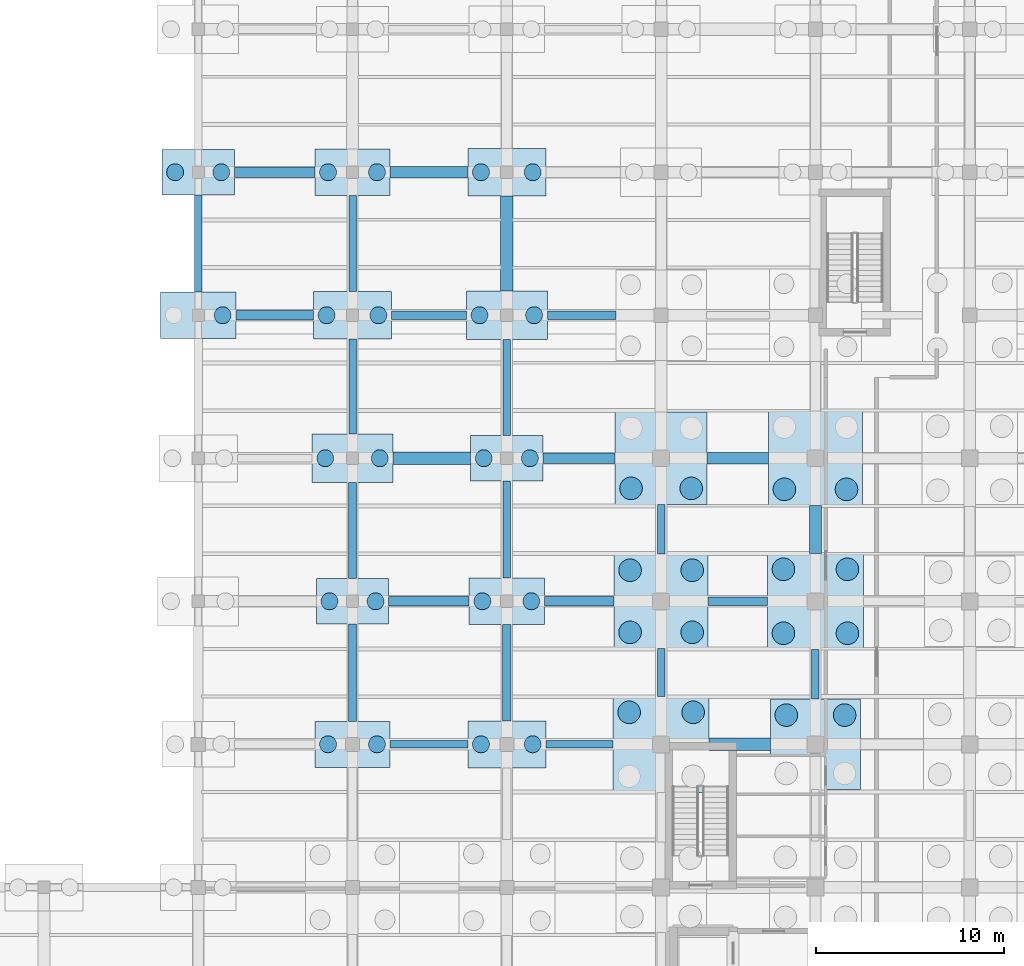
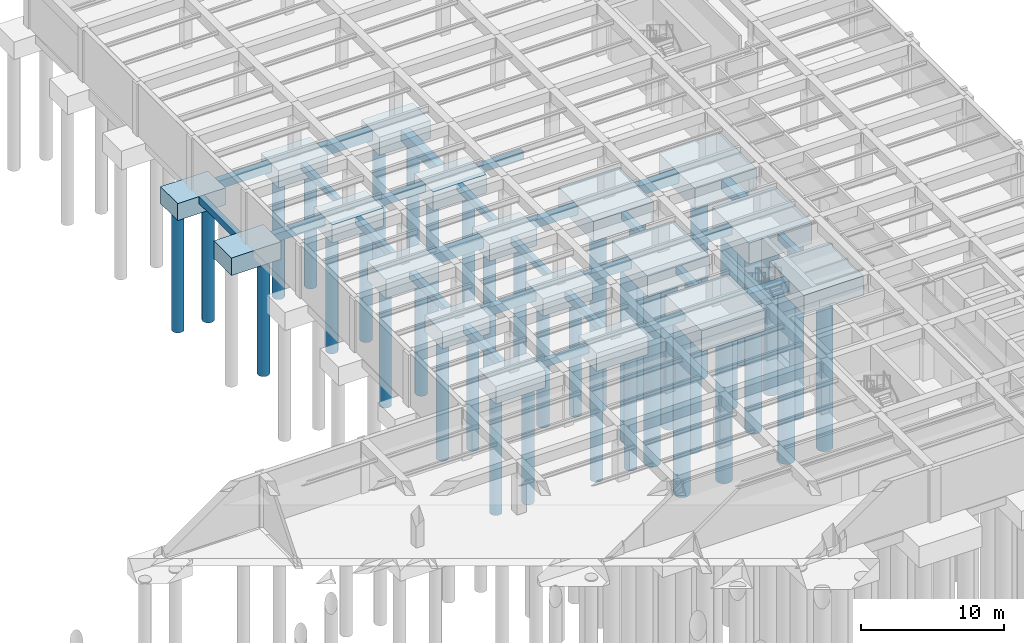
# One storey, part 4 of 29: 45 footings, 39 piles.
"""IFC4 building model written with IfcOpenShell, lengths in metres."""

from ifc_helpers import new_model, si_unit, direction, frame, origin, origin_2d, place, context, subcontext, project, spatial, rectangle, circle, extrude, material, material_profile, profile_set, type_object, element, save


model = new_model("IFC4")

# Units and contexts
model_context = context("Model", 3, precision=1e-05, world=origin(), true_north=direction((0.0, 1.0)))
body_context = subcontext(model_context, "Body", "Model", "MODEL_VIEW")
ifc_project = project(units=[si_unit("LENGTHUNIT", "METRE"), si_unit("AREAUNIT", "SQUARE_METRE"), si_unit("VOLUMEUNIT", "CUBIC_METRE"), si_unit("PLANEANGLEUNIT", "RADIAN"), si_unit("MASSUNIT", "GRAM", prefix="KILO")], contexts=[model_context])

# Site, building, storey
site_placement = place(None, origin())
site = spatial("IfcSite", under=ifc_project, at=site_placement, CompositionType="ELEMENT")
building_placement = place(site_placement, origin())
building = spatial("IfcBuilding", under=site, at=building_placement, Name="Qandaris Square Conservatory and Botanical Centre", CompositionType="ELEMENT")
storey_placement = place(building_placement, frame((0.0, 0.0, -4.800048828125)))
storey = spatial("IfcBuildingStorey", under=building, at=storey_placement, Name="B1", CompositionType="ELEMENT", Elevation=-4.800048828125)

# Piles
ifc_material_1 = material(Name="Concrete C50/60", Category="concrete")
ifc_material_profile_1 = material_profile(ifc_material_1, circle(Radius=0.60009765625, at=origin_2d()), Name="PILE D1200")
ifc_profile_set_1 = profile_set([ifc_material_profile_1], Name="Concrete C50/60")
pile_type_1 = type_object("IfcPileType", Name="Bored Pile D1200", PredefinedType="BORED", material=ifc_profile_set_1)
for number, where, z_axis, x_axis, name in (
    (1, (137.5, 48.699951171875, -1.699951171875), (0.0, 0.0, -1.0), (1.0, 0.0, 0.0), "Bored Pile F17-3"),
    (2, (140.89990234375, 48.699951171875, -1.699951171875), (0.0, 0.0, -1.0), (1.0, 0.0, 0.0), "Bored Pile F17-4"),
):
    element("IfcPile", number, at=place(storey_placement, frame(where, z_axis=z_axis, x_axis=x_axis)), inside=storey, type_object=pile_type_1, Name=name, PredefinedType="BORED", context=body_context, shape_type="SweptSolid", body=[
        extrude(circle(Radius=0.60009765625, at=origin_2d()), origin(), (0.0, 0.0, 1.0), 15.0),
    ])
for number, where, z_axis, x_axis, name in (
    (3, (137.550048828125, 52.949951171875, -1.64990234375), (0.0, 0.0, -1.0), (1.0, 0.0, 0.0), "Bored Pile G17-1"),
    (4, (140.85009765625, 52.949951171875, -1.64990234375), (0.0, 0.0, -1.0), (1.0, 0.0, 0.0), "Bored Pile G17-2"),
    (5, (137.550048828125, 56.25, -1.64990234375), (0.0, 0.0, -1.0), (1.0, 0.0, 0.0), "Bored Pile G17-3"),
    (6, (140.85009765625, 56.25, -1.64990234375), (0.0, 0.0, -1.0), (1.0, 0.0, 0.0), "Bored Pile G17-4"),
):
    element("IfcPile", number, at=place(storey_placement, frame(where, z_axis=z_axis, x_axis=x_axis)), inside=storey, type_object=pile_type_1, Name=name, PredefinedType="BORED", context=body_context, shape_type="SweptSolid", body=[
        extrude(circle(Radius=0.60009765625, at=origin_2d()), origin(), (0.0, 0.0, 1.0), 15.050048828125),
    ])
for number, where, z_axis, x_axis, name in (
    (7, (137.60009765625, 60.60009765625, -1.599853515625), (0.0, 0.0, -1.0), (1.0, 0.0, 0.0), "Bored Pile H17-1"),
    (8, (140.800048828125, 60.60009765625, -1.599853515625), (0.0, 0.0, -1.0), (1.0, 0.0, 0.0), "Bored Pile H17-2"),
):
    element("IfcPile", number, at=place(storey_placement, frame(where, z_axis=z_axis, x_axis=x_axis)), inside=storey, type_object=pile_type_1, Name=name, PredefinedType="BORED", context=body_context, shape_type="SweptSolid", body=[
        extrude(circle(Radius=0.60009765625, at=origin_2d()), origin(), (0.0, 0.0, 1.0), 15.10009765625),
    ])
for number, where, z_axis, x_axis, name in (
    (9, (145.85009765625, 48.550048828125, -1.550048828125), (0.0, 0.0, -1.0), (1.0, 0.0, 0.0), "Bored Pile F18-3"),
    (10, (148.949951171875, 48.550048828125, -1.550048828125), (0.0, 0.0, -1.0), (1.0, 0.0, 0.0), "Bored Pile F18-4"),
):
    element("IfcPile", number, at=place(storey_placement, frame(where, z_axis=z_axis, x_axis=x_axis)), inside=storey, type_object=pile_type_1, Name=name, PredefinedType="BORED", context=body_context, shape_type="SweptSolid", body=[
        extrude(circle(Radius=0.60009765625, at=origin_2d()), origin(), (0.0, 0.0, 1.0), 15.14990234375),
    ])
for number, where, z_axis, x_axis, name in (
    (11, (145.699951171875, 52.89990234375, -1.699951171875), (0.0, 0.0, -1.0), (1.0, 0.0, 0.0), "Bored Pile G18-1"),
    (12, (149.10009765625, 52.89990234375, -1.699951171875), (0.0, 0.0, -1.0), (1.0, 0.0, 0.0), "Bored Pile G18-2"),
    (13, (145.699951171875, 56.300048828125, -1.699951171875), (0.0, 0.0, -1.0), (1.0, 0.0, 0.0), "Bored Pile G18-3"),
    (14, (149.10009765625, 56.300048828125, -1.699951171875), (0.0, 0.0, -1.0), (1.0, 0.0, 0.0), "Bored Pile G18-4"),
):
    element("IfcPile", number, at=place(storey_placement, frame(where, z_axis=z_axis, x_axis=x_axis)), inside=storey, type_object=pile_type_1, Name=name, PredefinedType="BORED", context=body_context, shape_type="SweptSolid", body=[
        extrude(circle(Radius=0.60009765625, at=origin_2d()), origin(), (0.0, 0.0, 1.0), 15.0),
    ])
for number, where, z_axis, x_axis, name in (
    (15, (145.75, 60.550048828125, -1.64990234375), (0.0, 0.0, -1.0), (1.0, 0.0, 0.0), "Bored Pile H18-1"),
    (16, (149.050048828125, 60.550048828125, -1.64990234375), (0.0, 0.0, -1.0), (1.0, 0.0, 0.0), "Bored Pile H18-2"),
):
    element("IfcPile", number, at=place(storey_placement, frame(where, z_axis=z_axis, x_axis=x_axis)), inside=storey, type_object=pile_type_1, Name=name, PredefinedType="BORED", context=body_context, shape_type="SweptSolid", body=[
        extrude(circle(Radius=0.60009765625, at=origin_2d()), origin(), (0.0, 0.0, 1.0), 15.050048828125),
    ])
ifc_material_profile_2 = material_profile(ifc_material_1, circle(Radius=0.449951171875, at=origin_2d()), Name="PILE D900")
ifc_profile_set_2 = profile_set([ifc_material_profile_2], Name="Concrete C50/60")
pile_type_2 = type_object("IfcPileType", Name="Bored Pile D900", PredefinedType="BORED", material=ifc_profile_set_2)
pile_placement = place(storey_placement, frame((115.89990234375, 69.800048828125, -1.39990234375), z_axis=(0.0, 0.0, -1.0), x_axis=(1.0, 0.0, 0.0)))
element("IfcPile", 17, at=pile_placement, inside=storey, type_object=pile_type_2, Name="Bored Pile J14-2", PredefinedType="BORED", context=body_context, shape_type="SweptSolid", body=[
    extrude(circle(Radius=0.449951171875, at=origin_2d()), origin(), (0.0, 0.0, 1.0), 10.300048828125),
])
for number, where, z_axis, x_axis, name in (
    (18, (113.375, 77.39990234375, -1.349853515625), (0.0, 0.0, -1.0), (1.0, 0.0, 0.0), "Bored Pile K14-1"),
    (19, (115.824951171875, 77.39990234375, -1.349853515625), (0.0, 0.0, -1.0), (1.0, 0.0, 0.0), "Bored Pile K14-2"),
):
    element("IfcPile", number, at=place(storey_placement, frame(where, z_axis=z_axis, x_axis=x_axis)), inside=storey, type_object=pile_type_2, Name=name, PredefinedType="BORED", context=body_context, shape_type="SweptSolid", body=[
        extrude(circle(Radius=0.449951171875, at=origin_2d()), origin(), (0.0, 0.0, 1.0), 10.35009765625),
    ])
for number, where, z_axis, x_axis, name in (
    (20, (121.5, 47.0, -1.39990234375), (0.0, 0.0, -1.0), (1.0, 0.0, 0.0), "Bored Pile F15-1"),
    (21, (124.10009765625, 47.0, -1.39990234375), (0.0, 0.0, -1.0), (1.0, 0.0, 0.0), "Bored Pile F15-2"),
):
    element("IfcPile", number, at=place(storey_placement, frame(where, z_axis=z_axis, x_axis=x_axis)), inside=storey, type_object=pile_type_2, Name=name, PredefinedType="BORED", context=body_context, shape_type="SweptSolid", body=[
        extrude(circle(Radius=0.449951171875, at=origin_2d()), origin(), (0.0, 0.0, 1.0), 10.300048828125),
    ])
for number, where, z_axis, x_axis, name in (
    (22, (121.574951171875, 54.60009765625, -1.349853515625), (0.0, 0.0, -1.0), (1.0, 0.0, 0.0), "Bored Pile G15-1"),
    (23, (124.02490234375, 54.60009765625, -1.349853515625), (0.0, 0.0, -1.0), (1.0, 0.0, 0.0), "Bored Pile G15-2"),
):
    element("IfcPile", number, at=place(storey_placement, frame(where, z_axis=z_axis, x_axis=x_axis)), inside=storey, type_object=pile_type_2, Name=name, PredefinedType="BORED", context=body_context, shape_type="SweptSolid", body=[
        extrude(circle(Radius=0.449951171875, at=origin_2d()), origin(), (0.0, 0.0, 1.0), 10.35009765625),
    ])
for number, where, z_axis, x_axis, name in (
    (24, (121.35009765625, 62.199951171875, -1.5), (0.0, 0.0, -1.0), (1.0, 0.0, 0.0), "Bored Pile H15-1"),
    (25, (124.25, 62.199951171875, -1.5), (0.0, 0.0, -1.0), (1.0, 0.0, 0.0), "Bored Pile H15-2"),
):
    element("IfcPile", number, at=place(storey_placement, frame(where, z_axis=z_axis, x_axis=x_axis)), inside=storey, type_object=pile_type_2, Name=name, PredefinedType="BORED", context=body_context, shape_type="SweptSolid", body=[
        extrude(circle(Radius=0.449951171875, at=origin_2d()), origin(), (0.0, 0.0, 1.0), 10.199951171875),
    ])
for number, where, z_axis, x_axis, name in (
    (26, (121.425048828125, 69.800048828125, -1.449951171875), (0.0, 0.0, -1.0), (1.0, 0.0, 0.0), "Bored Pile J15-1"),
    (27, (124.175048828125, 69.800048828125, -1.449951171875), (0.0, 0.0, -1.0), (1.0, 0.0, 0.0), "Bored Pile J15-2"),
):
    element("IfcPile", number, at=place(storey_placement, frame(where, z_axis=z_axis, x_axis=x_axis)), inside=storey, type_object=pile_type_2, Name=name, PredefinedType="BORED", context=body_context, shape_type="SweptSolid", body=[
        extrude(circle(Radius=0.449951171875, at=origin_2d()), origin(), (0.0, 0.0, 1.0), 10.25),
    ])
for number, where, z_axis, x_axis, name in (
    (28, (121.5, 77.39990234375, -1.39990234375), (0.0, 0.0, -1.0), (1.0, 0.0, 0.0), "Bored Pile K15-1"),
    (29, (124.10009765625, 77.39990234375, -1.39990234375), (0.0, 0.0, -1.0), (1.0, 0.0, 0.0), "Bored Pile K15-2"),
):
    element("IfcPile", number, at=place(storey_placement, frame(where, z_axis=z_axis, x_axis=x_axis)), inside=storey, type_object=pile_type_2, Name=name, PredefinedType="BORED", context=body_context, shape_type="SweptSolid", body=[
        extrude(circle(Radius=0.449951171875, at=origin_2d()), origin(), (0.0, 0.0, 1.0), 10.300048828125),
    ])
for number, where, z_axis, x_axis, name in (
    (30, (129.625, 47.0, -1.449951171875), (0.0, 0.0, -1.0), (1.0, 0.0, 0.0), "Bored Pile F16-1"),
    (31, (132.375, 47.0, -1.449951171875), (0.0, 0.0, -1.0), (1.0, 0.0, 0.0), "Bored Pile F16-2"),
):
    element("IfcPile", number, at=place(storey_placement, frame(where, z_axis=z_axis, x_axis=x_axis)), inside=storey, type_object=pile_type_2, Name=name, PredefinedType="BORED", context=body_context, shape_type="SweptSolid", body=[
        extrude(circle(Radius=0.449951171875, at=origin_2d()), origin(), (0.0, 0.0, 1.0), 10.25),
    ])
for number, where, z_axis, x_axis, name in (
    (32, (129.699951171875, 54.60009765625, -1.39990234375), (0.0, 0.0, -1.0), (1.0, 0.0, 0.0), "Bored Pile G16-1"),
    (33, (132.300048828125, 54.60009765625, -1.39990234375), (0.0, 0.0, -1.0), (1.0, 0.0, 0.0), "Bored Pile G16-2"),
):
    element("IfcPile", number, at=place(storey_placement, frame(where, z_axis=z_axis, x_axis=x_axis)), inside=storey, type_object=pile_type_2, Name=name, PredefinedType="BORED", context=body_context, shape_type="SweptSolid", body=[
        extrude(circle(Radius=0.449951171875, at=origin_2d()), origin(), (0.0, 0.0, 1.0), 10.300048828125),
    ])
for number, where, z_axis, x_axis, name in (
    (34, (129.77490234375, 62.199951171875, -1.349853515625), (0.0, 0.0, -1.0), (1.0, 0.0, 0.0), "Bored Pile H16-1"),
    (35, (132.22509765625, 62.199951171875, -1.349853515625), (0.0, 0.0, -1.0), (1.0, 0.0, 0.0), "Bored Pile H16-2"),
):
    element("IfcPile", number, at=place(storey_placement, frame(where, z_axis=z_axis, x_axis=x_axis)), inside=storey, type_object=pile_type_2, Name=name, PredefinedType="BORED", context=body_context, shape_type="SweptSolid", body=[
        extrude(circle(Radius=0.449951171875, at=origin_2d()), origin(), (0.0, 0.0, 1.0), 10.35009765625),
    ])
for number, where, z_axis, x_axis, name in (
    (36, (129.550048828125, 69.800048828125, -1.5), (0.0, 0.0, -1.0), (1.0, 0.0, 0.0), "Bored Pile J16-1"),
    (37, (132.449951171875, 69.800048828125, -1.5), (0.0, 0.0, -1.0), (1.0, 0.0, 0.0), "Bored Pile J16-2"),
):
    element("IfcPile", number, at=place(storey_placement, frame(where, z_axis=z_axis, x_axis=x_axis)), inside=storey, type_object=pile_type_2, Name=name, PredefinedType="BORED", context=body_context, shape_type="SweptSolid", body=[
        extrude(circle(Radius=0.449951171875, at=origin_2d()), origin(), (0.0, 0.0, 1.0), 10.199951171875),
    ])
for number, where, z_axis, x_axis, name in (
    (38, (129.625, 77.39990234375, -1.449951171875), (0.0, 0.0, -1.0), (1.0, 0.0, 0.0), "Bored Pile K16-1"),
    (39, (132.375, 77.39990234375, -1.449951171875), (0.0, 0.0, -1.0), (1.0, 0.0, 0.0), "Bored Pile K16-2"),
):
    element("IfcPile", number, at=place(storey_placement, frame(where, z_axis=z_axis, x_axis=x_axis)), inside=storey, type_object=pile_type_2, Name=name, PredefinedType="BORED", context=body_context, shape_type="SweptSolid", body=[
        extrude(circle(Radius=0.449951171875, at=origin_2d()), origin(), (0.0, 0.0, 1.0), 10.25),
    ])

# Footings
ifc_material_2 = material(Name="Concrete C40/50", Category="concrete")
ifc_material_profile_3 = material_profile(ifc_material_2, rectangle(XDim=0.60009765625, YDim=0.85009765625, at=origin_2d()), Name="FB 600x850")
ifc_profile_set_3 = profile_set([ifc_material_profile_3], Name="Concrete C40/50")
footing_type_1 = type_object("IfcFootingType", Name="RC Ground Tie Beam FB-01", PredefinedType="FOOTING_BEAM", material=ifc_profile_set_3)
footing_1_placement = place(storey_placement, frame((141.64990234375, 62.199951171875, -0.425048828125), z_axis=(1.0, 0.0, 0.0), x_axis=(0.0, 1.0, 0.0)))
element("IfcFooting", 40, at=footing_1_placement, inside=storey, type_object=footing_type_1, Name="Ground Tie Beam FB-01-061", PredefinedType="FOOTING_BEAM", context=body_context, shape_type="SweptSolid", body=[
    extrude(rectangle(XDim=0.60009765625, YDim=0.85009765625, at=origin_2d()), origin(), (0.0, 0.0, 1.0), 3.25),
])
footing_2_placement = place(storey_placement, frame((124.800048828125, 77.39990234375, -0.425048828125), z_axis=(1.0, 0.0, 0.0), x_axis=(0.0, 1.0, 0.0)))
element("IfcFooting", 41, at=footing_2_placement, inside=storey, type_object=footing_type_1, Name="Ground Tie Beam FB-01-071", PredefinedType="FOOTING_BEAM", context=body_context, shape_type="SweptSolid", body=[
    extrude(rectangle(XDim=0.60009765625, YDim=0.85009765625, at=origin_2d()), origin(), (0.0, 0.0, 1.0), 4.125),
])
ifc_material_profile_4 = material_profile(ifc_material_2, rectangle(XDim=0.5, YDim=0.75, at=origin_2d()), Name="FB 500x750")
ifc_profile_set_4 = profile_set([ifc_material_profile_4], Name="Concrete C40/50")
footing_type_2 = type_object("IfcFootingType", Name="RC Ground Tie Beam FB-03", PredefinedType="FOOTING_BEAM", material=ifc_profile_set_4)
footing_3_placement = place(storey_placement, frame((124.72509765625, 54.60009765625, -0.375), z_axis=(1.0, 0.0, 0.0), x_axis=(0.0, 1.0, 0.0)))
element("IfcFooting", 42, at=footing_3_placement, inside=storey, type_object=footing_type_2, Name="Ground Tie Beam FB-03-053", PredefinedType="FOOTING_BEAM", context=body_context, shape_type="SweptSolid", body=[
    extrude(rectangle(XDim=0.5, YDim=0.75, at=origin_2d()), origin(), (0.0, 0.0, 1.0), 4.27490234375),
])
ifc_material_profile_5 = material_profile(ifc_material_2, rectangle(XDim=0.5, YDim=0.699951171875, at=origin_2d()), Name="FB 500x700")
ifc_profile_set_5 = profile_set([ifc_material_profile_5], Name="Concrete C40/50")
footing_type_3 = type_object("IfcFootingType", Name="RC Ground Tie Beam FB-04", PredefinedType="FOOTING_BEAM", material=ifc_profile_set_5)
footing_4_placement = place(storey_placement, frame((133.0, 54.60009765625, -0.349853515625), z_axis=(1.0, 0.0, 0.0), x_axis=(0.0, 1.0, 0.0)))
element("IfcFooting", 43, at=footing_4_placement, inside=storey, type_object=footing_type_3, Name="Ground Tie Beam FB-04-054", PredefinedType="FOOTING_BEAM", context=body_context, shape_type="SweptSolid", body=[
    extrude(rectangle(XDim=0.5, YDim=0.699951171875, at=origin_2d()), origin(), (0.0, 0.0, 1.0), 3.699951171875),
])
footing_5_placement = place(storey_placement, frame((116.60009765625, 69.800048828125, -0.349853515625), z_axis=(1.0, 0.0, 0.0), x_axis=(0.0, 1.0, 0.0)))
element("IfcFooting", 44, at=footing_5_placement, inside=storey, type_object=footing_type_3, Name="Ground Tie Beam FB-04-064", PredefinedType="FOOTING_BEAM", context=body_context, shape_type="SweptSolid", body=[
    extrude(rectangle(XDim=0.5, YDim=0.699951171875, at=origin_2d()), origin(), (0.0, 0.0, 1.0), 4.125),
])
ifc_material_profile_6 = material_profile(ifc_material_2, rectangle(XDim=0.449951171875, YDim=0.64990234375, at=origin_2d()), Name="FB 450x650")
ifc_profile_set_6 = profile_set([ifc_material_profile_6], Name="Concrete C40/50")
footing_type_4 = type_object("IfcFootingType", Name="RC Ground Tie Beam FB-05", PredefinedType="FOOTING_BEAM", material=ifc_profile_set_6)
footing_6_placement = place(storey_placement, frame((141.699951171875, 54.60009765625, -0.324951171875), z_axis=(1.0, 0.0, 0.0), x_axis=(0.0, 1.0, 0.0)))
element("IfcFooting", 45, at=footing_6_placement, inside=storey, type_object=footing_type_4, Name="Ground Tie Beam FB-05-055", PredefinedType="FOOTING_BEAM", context=body_context, shape_type="SweptSolid", body=[
    extrude(rectangle(XDim=0.449951171875, YDim=0.64990234375, at=origin_2d()), origin(), (0.0, 0.0, 1.0), 3.150146484375),
])
footing_7_placement = place(storey_placement, frame((124.875, 69.800048828125, -0.324951171875), z_axis=(1.0, 0.0, 0.0), x_axis=(0.0, 1.0, 0.0)))
element("IfcFooting", 46, at=footing_7_placement, inside=storey, type_object=footing_type_4, Name="Ground Tie Beam FB-05-065", PredefinedType="FOOTING_BEAM", context=body_context, shape_type="SweptSolid", body=[
    extrude(rectangle(XDim=0.449951171875, YDim=0.64990234375, at=origin_2d()), origin(), (0.0, 0.0, 1.0), 3.97509765625),
])
footing_8_placement = place(storey_placement, frame((122.800048828125, 48.22509765625, -0.324951171875), z_axis=(0.0, 1.0, 0.0), x_axis=(-1.0, 0.0, 0.0)))
element("IfcFooting", 47, at=footing_8_placement, inside=storey, type_object=footing_type_4, Name="Ground Tie Beam FB-05-125", PredefinedType="FOOTING_BEAM", context=body_context, shape_type="SweptSolid", body=[
    extrude(rectangle(XDim=0.449951171875, YDim=0.64990234375, at=origin_2d()), origin(), (0.0, 0.0, 1.0), 5.1748046875),
])
ifc_material_profile_7 = material_profile(ifc_material_2, rectangle(XDim=0.449951171875, YDim=0.60009765625, at=origin_2d()), Name="FB 450x600")
ifc_profile_set_7 = profile_set([ifc_material_profile_7], Name="Concrete C40/50")
footing_type_5 = type_object("IfcFootingType", Name="RC Ground Tie Beam FB-06", PredefinedType="FOOTING_BEAM", material=ifc_profile_set_7)
footing_9_placement = place(storey_placement, frame((133.14990234375, 69.800048828125, -0.300048828125), z_axis=(1.0, 0.0, 0.0), x_axis=(0.0, 1.0, 0.0)))
element("IfcFooting", 48, at=footing_9_placement, inside=storey, type_object=footing_type_5, Name="Ground Tie Beam FB-06-066", PredefinedType="FOOTING_BEAM", context=body_context, shape_type="SweptSolid", body=[
    extrude(rectangle(XDim=0.449951171875, YDim=0.60009765625, at=origin_2d()), origin(), (0.0, 0.0, 1.0), 3.650146484375),
])
footing_10_placement = place(storey_placement, frame((122.800048828125, 55.800048828125, -0.300048828125), z_axis=(0.0, 1.0, 0.0), x_axis=(-1.0, 0.0, 0.0)))
element("IfcFooting", 49, at=footing_10_placement, inside=storey, type_object=footing_type_5, Name="Ground Tie Beam FB-06-126", PredefinedType="FOOTING_BEAM", context=body_context, shape_type="SweptSolid", body=[
    extrude(rectangle(XDim=0.449951171875, YDim=0.60009765625, at=origin_2d()), origin(), (0.0, 0.0, 1.0), 5.099853515625),
])
footing_11_placement = place(storey_placement, frame((131.0, 48.25, -0.300048828125), z_axis=(0.0, 1.0, 0.0), x_axis=(-1.0, 0.0, 0.0)))
element("IfcFooting", 50, at=footing_11_placement, inside=storey, type_object=footing_type_5, Name="Ground Tie Beam FB-06-136", PredefinedType="FOOTING_BEAM", context=body_context, shape_type="SweptSolid", body=[
    extrude(rectangle(XDim=0.449951171875, YDim=0.60009765625, at=origin_2d()), origin(), (0.0, 0.0, 1.0), 5.125),
])
ifc_material_profile_8 = material_profile(ifc_material_2, rectangle(XDim=0.39990234375, YDim=0.60009765625, at=origin_2d()), Name="FB 400x600")
ifc_profile_set_8 = profile_set([ifc_material_profile_8], Name="Concrete C40/50")
footing_type_6 = type_object("IfcFootingType", Name="RC Ground Tie Beam FB-07", PredefinedType="FOOTING_BEAM", material=ifc_profile_set_8)
footing_12_placement = place(storey_placement, frame((124.800048828125, 47.0, -0.300048828125), z_axis=(1.0, 0.0, 0.0), x_axis=(0.0, 1.0, 0.0)))
element("IfcFooting", 51, at=footing_12_placement, inside=storey, type_object=footing_type_6, Name="Ground Tie Beam FB-07-047", PredefinedType="FOOTING_BEAM", context=body_context, shape_type="SweptSolid", body=[
    extrude(rectangle(XDim=0.39990234375, YDim=0.60009765625, at=origin_2d()), origin(), (0.0, 0.0, 1.0), 4.125),
])
footing_13_placement = place(storey_placement, frame((114.60009765625, 71.02490234375, -0.300048828125), z_axis=(0.0, 1.0, 0.0), x_axis=(-1.0, 0.0, 0.0)))
element("IfcFooting", 52, at=footing_13_placement, inside=storey, type_object=footing_type_6, Name="Ground Tie Beam FB-07-117", PredefinedType="FOOTING_BEAM", context=body_context, shape_type="SweptSolid", body=[
    extrude(rectangle(XDim=0.39990234375, YDim=0.60009765625, at=origin_2d()), origin(), (0.0, 0.0, 1.0), 5.175048828125),
])
footing_14_placement = place(storey_placement, frame((122.800048828125, 63.5, -0.300048828125), z_axis=(0.0, 1.0, 0.0), x_axis=(-1.0, 0.0, 0.0)))
element("IfcFooting", 53, at=footing_14_placement, inside=storey, type_object=footing_type_6, Name="Ground Tie Beam FB-07-127", PredefinedType="FOOTING_BEAM", context=body_context, shape_type="SweptSolid", body=[
    extrude(rectangle(XDim=0.39990234375, YDim=0.60009765625, at=origin_2d()), origin(), (0.0, 0.0, 1.0), 5.050048828125),
])
footing_15_placement = place(storey_placement, frame((131.0, 55.824951171875, -0.300048828125), z_axis=(0.0, 1.0, 0.0), x_axis=(-1.0, 0.0, 0.0)))
element("IfcFooting", 54, at=footing_15_placement, inside=storey, type_object=footing_type_6, Name="Ground Tie Beam FB-07-137", PredefinedType="FOOTING_BEAM", context=body_context, shape_type="SweptSolid", body=[
    extrude(rectangle(XDim=0.39990234375, YDim=0.60009765625, at=origin_2d()), origin(), (0.0, 0.0, 1.0), 5.175048828125),
])
footing_16_placement = place(storey_placement, frame((139.199951171875, 49.550048828125, -0.300048828125), z_axis=(0.0, 1.0, 0.0), x_axis=(-1.0, 0.0, 0.0)))
element("IfcFooting", 55, at=footing_16_placement, inside=storey, type_object=footing_type_6, Name="Ground Tie Beam FB-07-147", PredefinedType="FOOTING_BEAM", context=body_context, shape_type="SweptSolid", body=[
    extrude(rectangle(XDim=0.39990234375, YDim=0.60009765625, at=origin_2d()), origin(), (0.0, 0.0, 1.0), 2.550048828125),
])
ifc_material_profile_9 = material_profile(ifc_material_2, rectangle(XDim=0.39990234375, YDim=0.550048828125, at=origin_2d()), Name="FB 400x550")
ifc_profile_set_9 = profile_set([ifc_material_profile_9], Name="Concrete C40/50")
footing_type_7 = type_object("IfcFootingType", Name="RC Ground Tie Beam FB-08", PredefinedType="FOOTING_BEAM", material=ifc_profile_set_9)
footing_17_placement = place(storey_placement, frame((133.074951171875, 47.0, -0.27490234375), z_axis=(1.0, 0.0, 0.0), x_axis=(0.0, 1.0, 0.0)))
element("IfcFooting", 56, at=footing_17_placement, inside=storey, type_object=footing_type_7, Name="Ground Tie Beam FB-08-048", PredefinedType="FOOTING_BEAM", context=body_context, shape_type="SweptSolid", body=[
    extrude(rectangle(XDim=0.39990234375, YDim=0.550048828125, at=origin_2d()), origin(), (0.0, 0.0, 1.0), 3.574951171875),
])
footing_18_placement = place(storey_placement, frame((122.800048828125, 71.050048828125, -0.27490234375), z_axis=(0.0, 1.0, 0.0), x_axis=(-1.0, 0.0, 0.0)))
element("IfcFooting", 57, at=footing_18_placement, inside=storey, type_object=footing_type_7, Name="Ground Tie Beam FB-08-128", PredefinedType="FOOTING_BEAM", context=body_context, shape_type="SweptSolid", body=[
    extrude(rectangle(XDim=0.39990234375, YDim=0.550048828125, at=origin_2d()), origin(), (0.0, 0.0, 1.0), 5.125),
])
footing_19_placement = place(storey_placement, frame((131.0, 63.39990234375, -0.27490234375), z_axis=(0.0, 1.0, 0.0), x_axis=(-1.0, 0.0, 0.0)))
element("IfcFooting", 58, at=footing_19_placement, inside=storey, type_object=footing_type_7, Name="Ground Tie Beam FB-08-138", PredefinedType="FOOTING_BEAM", context=body_context, shape_type="SweptSolid", body=[
    extrude(rectangle(XDim=0.39990234375, YDim=0.550048828125, at=origin_2d()), origin(), (0.0, 0.0, 1.0), 5.10009765625),
])
footing_20_placement = place(storey_placement, frame((139.199951171875, 57.10009765625, -0.27490234375), z_axis=(0.0, 1.0, 0.0), x_axis=(-1.0, 0.0, 0.0)))
element("IfcFooting", 59, at=footing_20_placement, inside=storey, type_object=footing_type_7, Name="Ground Tie Beam FB-08-148", PredefinedType="FOOTING_BEAM", context=body_context, shape_type="SweptSolid", body=[
    extrude(rectangle(XDim=0.39990234375, YDim=0.550048828125, at=origin_2d()), origin(), (0.0, 0.0, 1.0), 2.64990234375),
])
footing_21_placement = place(storey_placement, frame((147.39990234375, 49.39990234375, -0.27490234375), z_axis=(0.0, 1.0, 0.0), x_axis=(-1.0, 0.0, 0.0)))
element("IfcFooting", 60, at=footing_21_placement, inside=storey, type_object=footing_type_7, Name="Ground Tie Beam FB-08-158", PredefinedType="FOOTING_BEAM", context=body_context, shape_type="SweptSolid", body=[
    extrude(rectangle(XDim=0.39990234375, YDim=0.550048828125, at=origin_2d()), origin(), (0.0, 0.0, 1.0), 2.650146484375),
])
ifc_material_profile_10 = material_profile(ifc_material_2, rectangle(XDim=0.64990234375, YDim=0.89990234375, at=origin_2d()), Name="FB 650x900")
ifc_profile_set_10 = profile_set([ifc_material_profile_10], Name="Concrete C40/50")
footing_type_8 = type_object("IfcFootingType", Name="RC Ground Tie Beam FB-09", PredefinedType="FOOTING_BEAM", material=ifc_profile_set_10)
footing_22_placement = place(storey_placement, frame((141.75, 47.0, -0.449951171875), z_axis=(1.0, 0.0, 0.0), x_axis=(0.0, 1.0, 0.0)))
element("IfcFooting", 61, at=footing_22_placement, inside=storey, type_object=footing_type_8, Name="Ground Tie Beam FB-09-049", PredefinedType="FOOTING_BEAM", context=body_context, shape_type="SweptSolid", body=[
    extrude(rectangle(XDim=0.64990234375, YDim=0.89990234375, at=origin_2d()), origin(), (0.0, 0.0, 1.0), 3.25),
])
footing_23_placement = place(storey_placement, frame((124.949951171875, 62.199951171875, -0.449951171875), z_axis=(1.0, 0.0, 0.0), x_axis=(0.0, 1.0, 0.0)))
element("IfcFooting", 62, at=footing_23_placement, inside=storey, type_object=footing_type_8, Name="Ground Tie Beam FB-09-059", PredefinedType="FOOTING_BEAM", context=body_context, shape_type="SweptSolid", body=[
    extrude(rectangle(XDim=0.64990234375, YDim=0.89990234375, at=origin_2d()), origin(), (0.0, 0.0, 1.0), 4.125),
])
footing_24_placement = place(storey_placement, frame((131.0, 71.10009765625, -0.449951171875), z_axis=(0.0, 1.0, 0.0), x_axis=(-1.0, 0.0, 0.0)))
element("IfcFooting", 63, at=footing_24_placement, inside=storey, type_object=footing_type_8, Name="Ground Tie Beam FB-09-139", PredefinedType="FOOTING_BEAM", context=body_context, shape_type="SweptSolid", body=[
    extrude(rectangle(XDim=0.64990234375, YDim=0.89990234375, at=origin_2d()), origin(), (0.0, 0.0, 1.0), 5.0498046875),
])
footing_25_placement = place(storey_placement, frame((147.39990234375, 57.14990234375, -0.449951171875), z_axis=(0.0, 1.0, 0.0), x_axis=(-1.0, 0.0, 0.0)))
element("IfcFooting", 64, at=footing_25_placement, inside=storey, type_object=footing_type_8, Name="Ground Tie Beam FB-09-159", PredefinedType="FOOTING_BEAM", context=body_context, shape_type="SweptSolid", body=[
    extrude(rectangle(XDim=0.64990234375, YDim=0.89990234375, at=origin_2d()), origin(), (0.0, 0.0, 1.0), 2.550048828125),
])
ifc_material_profile_11 = material_profile(ifc_material_2, rectangle(XDim=0.550048828125, YDim=0.699951171875, at=origin_2d()), Name="FB 550x700")
ifc_profile_set_11 = profile_set([ifc_material_profile_11], Name="Concrete C40/50")
footing_type_9 = type_object("IfcFootingType", Name="RC Ground Tie Beam FB-10", PredefinedType="FOOTING_BEAM", material=ifc_profile_set_11)
footing_26_placement = place(storey_placement, frame((132.925048828125, 62.199951171875, -0.349853515625), z_axis=(1.0, 0.0, 0.0), x_axis=(0.0, 1.0, 0.0)))
element("IfcFooting", 65, at=footing_26_placement, inside=storey, type_object=footing_type_9, Name="Ground Tie Beam FB-10-060", PredefinedType="FOOTING_BEAM", context=body_context, shape_type="SweptSolid", body=[
    extrude(rectangle(XDim=0.550048828125, YDim=0.699951171875, at=origin_2d()), origin(), (0.0, 0.0, 1.0), 3.824951171875),
])
footing_27_placement = place(storey_placement, frame((116.52490234375, 77.39990234375, -0.349853515625), z_axis=(1.0, 0.0, 0.0), x_axis=(0.0, 1.0, 0.0)))
element("IfcFooting", 66, at=footing_27_placement, inside=storey, type_object=footing_type_9, Name="Ground Tie Beam FB-10-070", PredefinedType="FOOTING_BEAM", context=body_context, shape_type="SweptSolid", body=[
    extrude(rectangle(XDim=0.550048828125, YDim=0.699951171875, at=origin_2d()), origin(), (0.0, 0.0, 1.0), 4.275146484375),
])
footing_type_10 = type_object("IfcFootingType", Name="RC Pile Cap PC-01", PredefinedType="PILE_CAP", material=ifc_material_2)
for number, where, z_axis, x_axis, name in (
    (67, (139.199951171875, 47.0, -1.7998046875), (0.0, 0.0, 1.0), (1.0, 0.0, 0.0), "Pile Cap PC-01 at F17"),
    (68, (147.39990234375, 54.60009765625, -1.7998046875), (0.0, 0.0, 1.0), (1.0, 0.0, 0.0), "Pile Cap PC-01 at G18"),
):
    element("IfcFooting", number, at=place(storey_placement, frame(where, z_axis=z_axis, x_axis=x_axis)), inside=storey, type_object=footing_type_10, Name=name, PredefinedType="PILE_CAP", context=body_context, shape_type="SweptSolid", body=[
        extrude(rectangle(XDim=5.10009765625, YDim=5.10009765625, at=origin_2d()), origin(), (0.0, 0.0, 1.0), 1.800048828125),
    ])
footing_type_11 = type_object("IfcFootingType", Name="RC Pile Cap PC-02", PredefinedType="PILE_CAP", material=ifc_material_2)
for number, where, z_axis, x_axis, name in (
    (69, (139.199951171875, 54.60009765625, -1.75), (0.0, 0.0, 1.0), (1.0, 0.0, 0.0), "Pile Cap PC-02 at G17"),
    (70, (147.39990234375, 62.199951171875, -1.75), (0.0, 0.0, 1.0), (1.0, 0.0, 0.0), "Pile Cap PC-02 at H18"),
):
    element("IfcFooting", number, at=place(storey_placement, frame(where, z_axis=z_axis, x_axis=x_axis)), inside=storey, type_object=footing_type_11, Name=name, PredefinedType="PILE_CAP", context=body_context, shape_type="SweptSolid", body=[
        extrude(rectangle(XDim=5.0, YDim=5.0, at=origin_2d()), origin(), (0.0, 0.0, 1.0), 1.75),
    ])
footing_type_12 = type_object("IfcFootingType", Name="RC Pile Cap PC-03", PredefinedType="PILE_CAP", material=ifc_material_2)
footing_28_placement = place(storey_placement, frame((139.199951171875, 62.199951171875, -1.69970703125), z_axis=(0.0, 0.0, 1.0), x_axis=(1.0, 0.0, 0.0)))
element("IfcFooting", 71, at=footing_28_placement, inside=storey, type_object=footing_type_12, Name="Pile Cap PC-03 at H17", PredefinedType="PILE_CAP", context=body_context, shape_type="SweptSolid", body=[
    extrude(rectangle(XDim=4.89990234375, YDim=4.89990234375, at=origin_2d()), origin(), (0.0, 0.0, 1.0), 1.699951171875),
])
footing_type_13 = type_object("IfcFootingType", Name="RC Pile Cap PC-04", PredefinedType="PILE_CAP", material=ifc_material_2)
footing_29_placement = place(storey_placement, frame((147.39990234375, 47.0, -1.64990234375), z_axis=(0.0, 0.0, 1.0), x_axis=(1.0, 0.0, 0.0)))
element("IfcFooting", 72, at=footing_29_placement, inside=storey, type_object=footing_type_13, Name="Pile Cap PC-04 at F18", PredefinedType="PILE_CAP", context=body_context, shape_type="SweptSolid", body=[
    extrude(rectangle(XDim=4.800048828125, YDim=4.800048828125, at=origin_2d()), origin(), (0.0, 0.0, 1.0), 1.64990234375),
])
footing_type_14 = type_object("IfcFootingType", Name="RC Pile Cap PC-05", PredefinedType="PILE_CAP", material=ifc_material_2)
for number, where, z_axis, x_axis, name in (
    (73, (122.800048828125, 62.199951171875, -1.60009765625), (0.0, 0.0, 1.0), (1.0, 0.0, 0.0), "Pile Cap PC-05 at H15"),
    (74, (131.0, 69.800048828125, -1.60009765625), (0.0, 0.0, 1.0), (1.0, 0.0, 0.0), "Pile Cap PC-05 at J16"),
):
    element("IfcFooting", number, at=place(storey_placement, frame(where, z_axis=z_axis, x_axis=x_axis)), inside=storey, type_object=footing_type_14, Name=name, PredefinedType="PILE_CAP", context=body_context, shape_type="SweptSolid", body=[
        extrude(rectangle(XDim=4.300048828125, YDim=2.60009765625, at=origin_2d()), origin(), (0.0, 0.0, 1.0), 1.60009765625),
    ])
footing_type_15 = type_object("IfcFootingType", Name="RC Pile Cap PC-06", PredefinedType="PILE_CAP", material=ifc_material_2)
for number, where, z_axis, x_axis, name in (
    (75, (122.800048828125, 69.800048828125, -1.5498046875), (0.0, 0.0, 1.0), (1.0, 0.0, 0.0), "Pile Cap PC-06 at J15"),
    (76, (131.0, 47.0, -1.5498046875), (0.0, 0.0, 1.0), (1.0, 0.0, 0.0), "Pile Cap PC-06 at F16"),
    (77, (131.0, 77.39990234375, -1.5498046875), (0.0, 0.0, 1.0), (1.0, 0.0, 0.0), "Pile Cap PC-06 at K16"),
):
    element("IfcFooting", number, at=place(storey_placement, frame(where, z_axis=z_axis, x_axis=x_axis)), inside=storey, type_object=footing_type_15, Name=name, PredefinedType="PILE_CAP", context=body_context, shape_type="SweptSolid", body=[
        extrude(rectangle(XDim=4.14990234375, YDim=2.5, at=origin_2d()), origin(), (0.0, 0.0, 1.0), 1.550048828125),
    ])
footing_type_16 = type_object("IfcFootingType", Name="RC Pile Cap PC-07", PredefinedType="PILE_CAP", material=ifc_material_2)
for number, where, z_axis, x_axis, name in (
    (78, (114.60009765625, 69.800048828125, -1.5), (0.0, 0.0, 1.0), (1.0, 0.0, 0.0), "Pile Cap PC-07 at J14"),
    (79, (122.800048828125, 47.0, -1.5), (0.0, 0.0, 1.0), (1.0, 0.0, 0.0), "Pile Cap PC-07 at F15"),
    (80, (122.800048828125, 77.39990234375, -1.5), (0.0, 0.0, 1.0), (1.0, 0.0, 0.0), "Pile Cap PC-07 at K15"),
    (81, (131.0, 54.60009765625, -1.5), (0.0, 0.0, 1.0), (1.0, 0.0, 0.0), "Pile Cap PC-07 at G16"),
):
    element("IfcFooting", number, at=place(storey_placement, frame(where, z_axis=z_axis, x_axis=x_axis)), inside=storey, type_object=footing_type_16, Name=name, PredefinedType="PILE_CAP", context=body_context, shape_type="SweptSolid", body=[
        extrude(rectangle(XDim=4.0, YDim=2.449951171875, at=origin_2d()), origin(), (0.0, 0.0, 1.0), 1.5),
    ])
footing_type_17 = type_object("IfcFootingType", Name="RC Pile Cap PC-08", PredefinedType="PILE_CAP", material=ifc_material_2)
for number, where, z_axis, x_axis, name in (
    (82, (114.60009765625, 77.39990234375, -1.44970703125), (0.0, 0.0, 1.0), (1.0, 0.0, 0.0), "Pile Cap PC-08 at K14"),
    (83, (122.800048828125, 54.60009765625, -1.44970703125), (0.0, 0.0, 1.0), (1.0, 0.0, 0.0), "Pile Cap PC-08 at G15"),
    (84, (131.0, 62.199951171875, -1.44970703125), (0.0, 0.0, 1.0), (1.0, 0.0, 0.0), "Pile Cap PC-08 at H16"),
):
    element("IfcFooting", number, at=place(storey_placement, frame(where, z_axis=z_axis, x_axis=x_axis)), inside=storey, type_object=footing_type_17, Name=name, PredefinedType="PILE_CAP", context=body_context, shape_type="SweptSolid", body=[
        extrude(rectangle(XDim=3.85009765625, YDim=2.39990234375, at=origin_2d()), origin(), (0.0, 0.0, 1.0), 1.449951171875),
    ])

save(model, "model.ifc")
